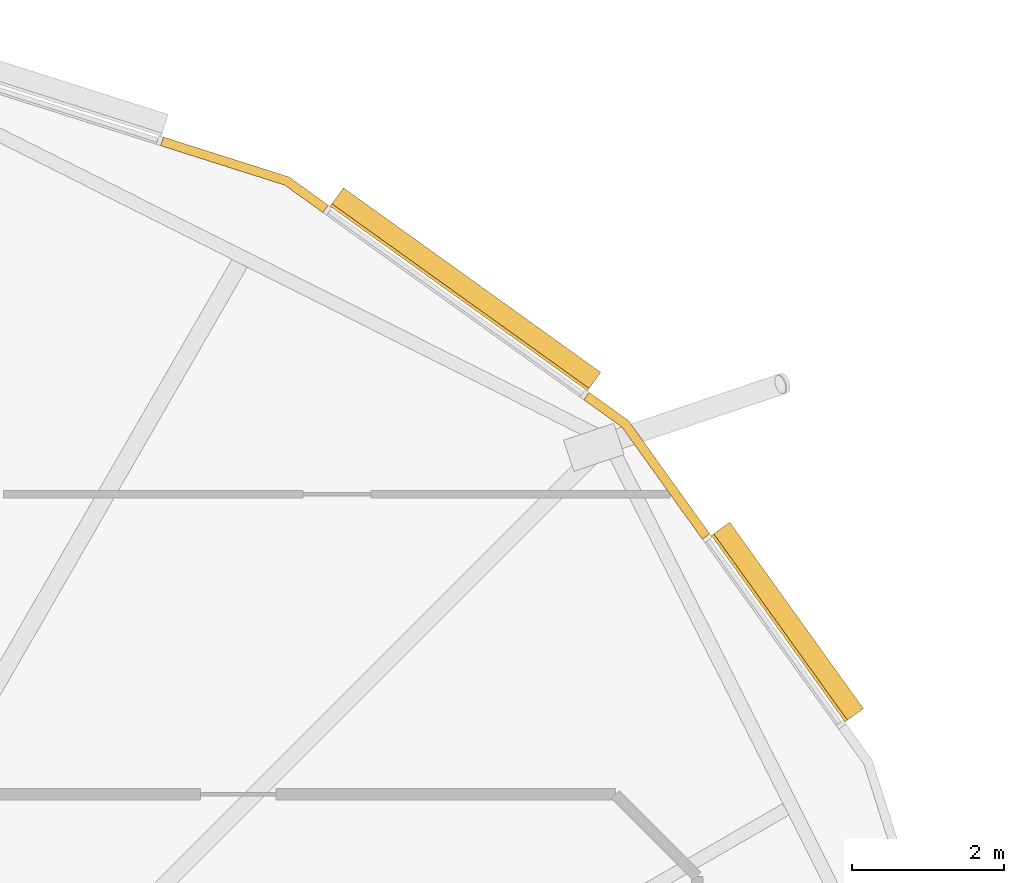
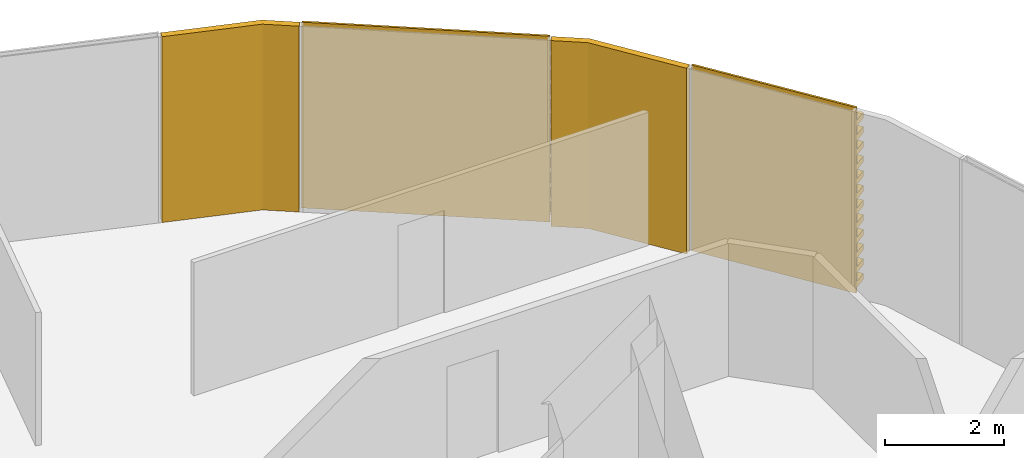
# One storey, part 40 of 41: 4 coverings.
"""IFC4 building model written with IfcOpenShell, lengths in metres."""

from ifc_helpers import new_model, si_unit, direction, frame, origin, place, context, subcontext, project, spatial, polyline, outline, extrude, material, layer, layer_set, material_profile, profile_set, type_object, element, save


model = new_model("IFC4")

# Units and contexts
model_context = context("Model", 3, precision=1e-05, world=origin(), true_north=direction((0.0, 1.0)))
body_context = subcontext(model_context, "Body", "Model", "MODEL_VIEW")
ifc_project = project(units=[si_unit("LENGTHUNIT", "METRE"), si_unit("AREAUNIT", "SQUARE_METRE"), si_unit("VOLUMEUNIT", "CUBIC_METRE"), si_unit("PLANEANGLEUNIT", "RADIAN"), si_unit("MASSUNIT", "GRAM", prefix="KILO")], contexts=[model_context])

# Site, building, storey
site_placement = place(None, origin())
site = spatial("IfcSite", under=ifc_project, at=site_placement, CompositionType="ELEMENT")
building_placement = place(site_placement, origin())
building = spatial("IfcBuilding", under=site, at=building_placement, Name="Rimbun Link Towers", CompositionType="ELEMENT")
storey_placement = place(building_placement, frame((0.0, 0.0, 210.5)))
storey = spatial("IfcBuildingStorey", under=building, at=storey_placement, Name="L51", CompositionType="ELEMENT", Elevation=210.5)

# Coverings
ifc_material_1 = material(Name="Terracotta", Category="masonry")
ifc_layer = layer(ifc_material_1, 0.1201171875)
ifc_layer_set = layer_set([ifc_layer], Name="LINK PIER terracotta cladding 120")
covering_type_1 = type_object("IfcCoveringType", Name="LINK PIER terracotta cladding 120", PredefinedType="CLADDING", material=ifc_layer_set)
covering_1_placement = place(storey_placement, origin())
element("IfcCovering", 1, at=covering_1_placement, inside=storey, type_object=covering_type_1, Name="LINK PIER cladding", PredefinedType="CLADDING", context=body_context, shape_type="SweptSolid", body=[
    extrude(outline(polyline([(46.13818359375, 15.253173828125), (46.641845703125, 14.891845703125), (47.702880859375, 13.4130859375), (47.80029296875, 13.483154296875), (46.727783203125, 14.977783203125), (46.2080078125, 15.350830078125), (46.13818359375, 15.253173828125)])), origin(), (0.0, 0.0, 1.0), 3.800048828125),
])
covering_2_placement = place(storey_placement, origin())
element("IfcCovering", 2, at=covering_2_placement, inside=storey, type_object=covering_type_1, Name="LINK PIER cladding", PredefinedType="CLADDING", context=body_context, shape_type="SweptSolid", body=[
    extrude(outline(polyline([(40.552490234375, 18.6064453125), (42.19140625, 18.085205078125), (42.6953125, 17.7236328125), (42.76513671875, 17.8212890625), (42.24609375, 18.19384765625), (40.5888671875, 18.720947265625), (40.552490234375, 18.6064453125)])), origin(), (0.0, 0.0, 1.0), 3.800048828125),
])
ifc_material_2 = material(Name="Terracotta", Category="masonry")
ifc_material_profile = material_profile(ifc_material_2, outline(polyline([(0.123046875, 0.0), (0.1630859375, 0.0), (0.1630859375, 0.10009765625), (0.423095703125, 0.10009765625), (0.423095703125, 0.219970703125), (0.1630859375, 0.219970703125), (0.1630859375, 0.39990234375), (0.423095703125, 0.39990234375), (0.423095703125, 0.52001953125), (0.1630859375, 0.52001953125), (0.1630859375, 0.699951171875), (0.423095703125, 0.699951171875), (0.423095703125, 0.820068359375), (0.1630859375, 0.820068359375), (0.1630859375, 1.0), (0.423095703125, 1.0), (0.423095703125, 1.1201171875), (0.1630859375, 1.1201171875), (0.1630859375, 1.300048828125), (0.423095703125, 1.300048828125), (0.423095703125, 1.419921875), (0.1630859375, 1.419921875), (0.1630859375, 1.60009765625), (0.423095703125, 1.60009765625), (0.423095703125, 1.719970703125), (0.1630859375, 1.719970703125), (0.1630859375, 1.89990234375), (0.423095703125, 1.89990234375), (0.423095703125, 2.02001953125), (0.1630859375, 2.02001953125), (0.1630859375, 2.199951171875), (0.423095703125, 2.199951171875), (0.423095703125, 2.320068359375), (0.1630859375, 2.320068359375), (0.1630859375, 2.5), (0.423095703125, 2.5), (0.423095703125, 2.6201171875), (0.1630859375, 2.6201171875), (0.1630859375, 2.800048828125), (0.423095703125, 2.800048828125), (0.423095703125, 2.919921875), (0.1630859375, 2.919921875), (0.1630859375, 3.10009765625), (0.423095703125, 3.10009765625), (0.423095703125, 3.219970703125), (0.1630859375, 3.219970703125), (0.1630859375, 3.39990234375), (0.423095703125, 3.39990234375), (0.423095703125, 3.52001953125), (0.1630859375, 3.52001953125), (0.1630859375, 3.800048828125), (0.123046875, 3.800048828125), (0.123046875, 0.0)])), Name="BAGUETTE 120X300")
ifc_profile_set = profile_set([ifc_material_profile], Name="Terracotta")
covering_type_2 = type_object("IfcCoveringType", Name="TERRACOTTA BAGUETTE 120X300 H3800", PredefinedType="CLADDING", material=ifc_profile_set)
covering_3_placement = place(storey_placement, frame((42.7197265625, 17.706298828125, 0.0), z_axis=(0.8124600168, -0.583016913221, 0.0), x_axis=(0.583016913221, 0.8124600168, 0.0)))
element("IfcCovering", 3, at=covering_3_placement, inside=storey, type_object=covering_type_2, Name="TERRACOTTA BAGUETTE", PredefinedType="CLADDING", context=body_context, shape_type="SweptSolid", body=[
    extrude(outline(polyline([(0.123046875, 0.0), (0.1630859375, 0.0), (0.1630859375, 0.10009765625), (0.423095703125, 0.10009765625), (0.423095703125, 0.219970703125), (0.1630859375, 0.219970703125), (0.1630859375, 0.39990234375), (0.423095703125, 0.39990234375), (0.423095703125, 0.52001953125), (0.1630859375, 0.52001953125), (0.1630859375, 0.699951171875), (0.423095703125, 0.699951171875), (0.423095703125, 0.820068359375), (0.1630859375, 0.820068359375), (0.1630859375, 1.0), (0.423095703125, 1.0), (0.423095703125, 1.1201171875), (0.1630859375, 1.1201171875), (0.1630859375, 1.300048828125), (0.423095703125, 1.300048828125), (0.423095703125, 1.419921875), (0.1630859375, 1.419921875), (0.1630859375, 1.60009765625), (0.423095703125, 1.60009765625), (0.423095703125, 1.719970703125), (0.1630859375, 1.719970703125), (0.1630859375, 1.89990234375), (0.423095703125, 1.89990234375), (0.423095703125, 2.02001953125), (0.1630859375, 2.02001953125), (0.1630859375, 2.199951171875), (0.423095703125, 2.199951171875), (0.423095703125, 2.320068359375), (0.1630859375, 2.320068359375), (0.1630859375, 2.5), (0.423095703125, 2.5), (0.423095703125, 2.6201171875), (0.1630859375, 2.6201171875), (0.1630859375, 2.800048828125), (0.423095703125, 2.800048828125), (0.423095703125, 2.919921875), (0.1630859375, 2.919921875), (0.1630859375, 3.10009765625), (0.423095703125, 3.10009765625), (0.423095703125, 3.219970703125), (0.1630859375, 3.219970703125), (0.1630859375, 3.39990234375), (0.423095703125, 3.39990234375), (0.423095703125, 3.52001953125), (0.1630859375, 3.52001953125), (0.1630859375, 3.800048828125), (0.123046875, 3.800048828125), (0.123046875, 0.0)])), origin(), (0.0, 0.0, 1.0), 4.177490234375),
])
covering_4_placement = place(storey_placement, frame((47.720458984375, 13.388671875, 0.0), z_axis=(0.582976162964, -0.812489257416, 0.0), x_axis=(0.812489257416, 0.582976162964, 0.0)))
element("IfcCovering", 4, at=covering_4_placement, inside=storey, type_object=covering_type_2, Name="TERRACOTTA BAGUETTE", PredefinedType="CLADDING", context=body_context, shape_type="SweptSolid", body=[
    extrude(outline(polyline([(0.123046875, 0.0), (0.1630859375, 0.0), (0.1630859375, 0.10009765625), (0.423095703125, 0.10009765625), (0.423095703125, 0.219970703125), (0.1630859375, 0.219970703125), (0.1630859375, 0.39990234375), (0.423095703125, 0.39990234375), (0.423095703125, 0.52001953125), (0.1630859375, 0.52001953125), (0.1630859375, 0.699951171875), (0.423095703125, 0.699951171875), (0.423095703125, 0.820068359375), (0.1630859375, 0.820068359375), (0.1630859375, 1.0), (0.423095703125, 1.0), (0.423095703125, 1.1201171875), (0.1630859375, 1.1201171875), (0.1630859375, 1.300048828125), (0.423095703125, 1.300048828125), (0.423095703125, 1.419921875), (0.1630859375, 1.419921875), (0.1630859375, 1.60009765625), (0.423095703125, 1.60009765625), (0.423095703125, 1.719970703125), (0.1630859375, 1.719970703125), (0.1630859375, 1.89990234375), (0.423095703125, 1.89990234375), (0.423095703125, 2.02001953125), (0.1630859375, 2.02001953125), (0.1630859375, 2.199951171875), (0.423095703125, 2.199951171875), (0.423095703125, 2.320068359375), (0.1630859375, 2.320068359375), (0.1630859375, 2.5), (0.423095703125, 2.5), (0.423095703125, 2.6201171875), (0.1630859375, 2.6201171875), (0.1630859375, 2.800048828125), (0.423095703125, 2.800048828125), (0.423095703125, 2.919921875), (0.1630859375, 2.919921875), (0.1630859375, 3.10009765625), (0.423095703125, 3.10009765625), (0.423095703125, 3.219970703125), (0.1630859375, 3.219970703125), (0.1630859375, 3.39990234375), (0.423095703125, 3.39990234375), (0.423095703125, 3.52001953125), (0.1630859375, 3.52001953125), (0.1630859375, 3.800048828125), (0.123046875, 3.800048828125), (0.123046875, 0.0)])), origin(), (0.0, 0.0, 1.0), 3.02734375),
])

save(model, "model.ifc")
